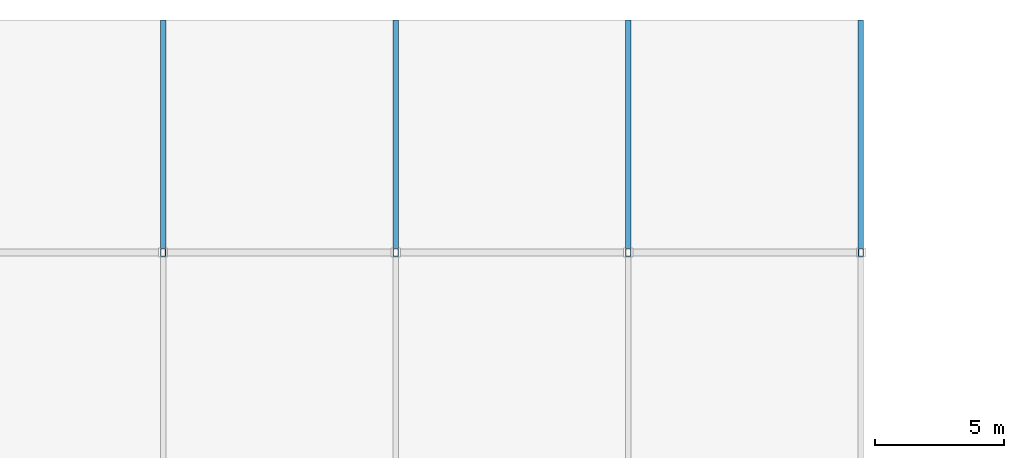
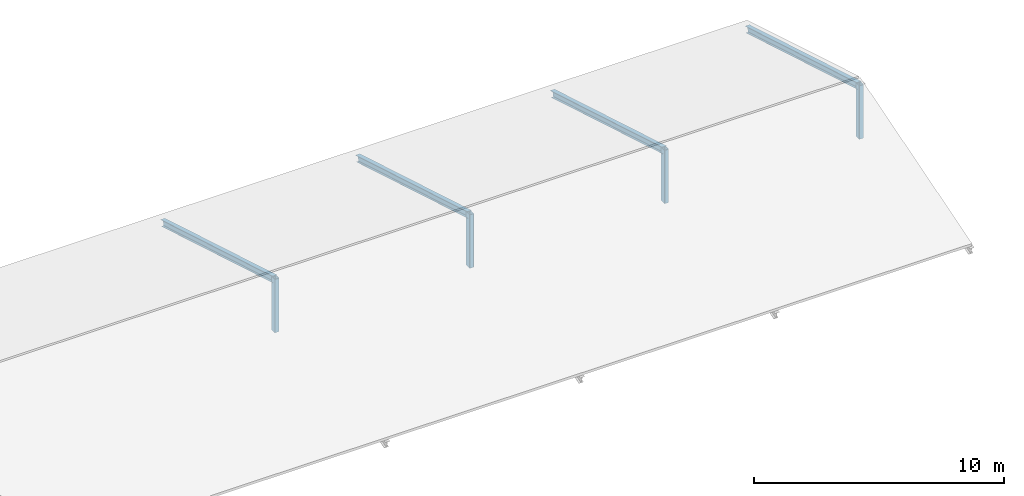
# One storey, part 46 of 68: 8 members.
"""IFC4 building model written with IfcOpenShell, lengths in metres."""

from ifc_helpers import new_model, si_unit, direction, frame, origin, origin_2d, place, context, subcontext, project, spatial, hollow_rectangle, i_section, extrude, material, material_profile, profile_set, type_object, element, save


model = new_model("IFC4")

# Units and contexts
model_context = context("Model", 3, precision=1e-05, world=origin(), true_north=direction((0.0, 1.0)))
body_context = subcontext(model_context, "Body", "Model", "MODEL_VIEW")
ifc_project = project(units=[si_unit("LENGTHUNIT", "METRE"), si_unit("AREAUNIT", "SQUARE_METRE"), si_unit("VOLUMEUNIT", "CUBIC_METRE"), si_unit("PLANEANGLEUNIT", "RADIAN"), si_unit("MASSUNIT", "GRAM", prefix="KILO")], contexts=[model_context])

# Site, building, storey
site_placement = place(None, origin())
site = spatial("IfcSite", under=ifc_project, at=site_placement, CompositionType="ELEMENT")
building_placement = place(site_placement, origin())
building = spatial("IfcBuilding", under=site, at=building_placement, Name="Miravela Opera House", CompositionType="ELEMENT")
storey_placement = place(building_placement, frame((0.0, 0.0, 21.760009765625)))
storey = spatial("IfcBuildingStorey", under=building, at=storey_placement, Name="L05", CompositionType="ELEMENT", Elevation=21.760009765625)

# Members
ifc_material_1 = material(Name="Hollow structural steel ASTM A500 Gr. C", Category="steel")
ifc_material_profile_1 = material_profile(ifc_material_1, hollow_rectangle(XDim=0.199951171875, YDim=0.300048828125, WallThickness=0.011962890625, InnerFilletRadius=0.011962890625, OuterFilletRadius=0.02392578125, at=origin_2d()), Name="HSS300X200X12")
ifc_profile_set_1 = profile_set([ifc_material_profile_1])
member_type_1 = type_object("IfcMemberType", Name="STR-MEM-POST-HSS300X200", PredefinedType="POST", material=ifc_profile_set_1)
for number, where, z_axis, x_axis, name in (
    (1, (90.0, 103.0, -0.25), (0.0, 0.0, 1.0), (1.0, 0.0, 0.0), "Roof Ridge Support Post ROOF-V3-TOP M3"),
    (2, (99.0, 103.0, -0.25), (0.0, 0.0, 1.0), (1.0, 0.0, 0.0), "Roof Ridge Support Post ROOF-V3-TOP M4"),
    (3, (108.0, 103.0, -0.25), (0.0, 0.0, 1.0), (1.0, 0.0, 0.0), "Roof Ridge Support Post ROOF-V3-TOP M5"),
    (4, (117.0, 103.0, -0.25), (0.0, 0.0, 1.0), (1.0, 0.0, 0.0), "Roof Gable King Post ROOF-V3-TOP E"),
):
    element("IfcMember", number, at=place(storey_placement, frame(where, z_axis=z_axis, x_axis=x_axis)), inside=storey, type_object=member_type_1, Name=name, PredefinedType="POST", context=body_context, shape_type="SweptSolid", body=[
        extrude(hollow_rectangle(XDim=0.199951171875, YDim=0.300048828125, WallThickness=0.011962890625, InnerFilletRadius=0.011962890625, OuterFilletRadius=0.02392578125, at=origin_2d()), origin(), (0.0, 0.0, 1.0), 2.610107421875),
    ])
ifc_material_2 = material(Name="Structural steel ASTM A992 Gr. 50", Category="steel")
ifc_material_profile_2 = material_profile(ifc_material_2, i_section(OverallWidth=0.202880859375, OverallDepth=0.302978515625, WebThickness=0.007568359375, FlangeThickness=0.01318359375, FilletRadius=0.012939453125, at=origin_2d()), Name="W310X60")
ifc_profile_set_2 = profile_set([ifc_material_profile_2])
member_type_2 = type_object("IfcMemberType", Name="STR-MEM-RAFTER-2", PredefinedType="RAFTER", material=ifc_profile_set_2)
for number, where, z_axis, x_axis, name in (
    (5, (90.0, 111.949951171875, -0.39990234375), (0.0, -0.958562219619, 0.284883258756), (1.0, 0.0, 0.0), "Pitched Roof Rafter ROOF-V3-TOP N3"),
    (6, (99.0, 111.949951171875, -0.39990234375), (0.0, -0.958562219619, 0.284883258756), (1.0, 0.0, 0.0), "Pitched Roof Rafter ROOF-V3-TOP N4"),
    (7, (108.0, 111.949951171875, -0.39990234375), (0.0, -0.958562219619, 0.284883258756), (1.0, 0.0, 0.0), "Pitched Roof Rafter ROOF-V3-TOP N5"),
    (8, (117.0, 111.949951171875, -0.39990234375), (0.0, -0.958562219619, 0.284883258756), (1.0, 0.0, 0.0), "Pitched Roof Rafter ROOF-V3-TOP N6"),
):
    element("IfcMember", number, at=place(storey_placement, frame(where, z_axis=z_axis, x_axis=x_axis)), inside=storey, type_object=member_type_2, Name=name, PredefinedType="RAFTER", context=body_context, shape_type="SweptSolid", body=[
        extrude(i_section(OverallWidth=0.202880859375, OverallDepth=0.302978515625, WebThickness=0.007568359375, FlangeThickness=0.01318359375, FilletRadius=0.012939453125, at=origin_2d()), origin(), (0.0, 0.0, 1.0), 9.3369140625),
    ])

save(model, "model.ifc")
